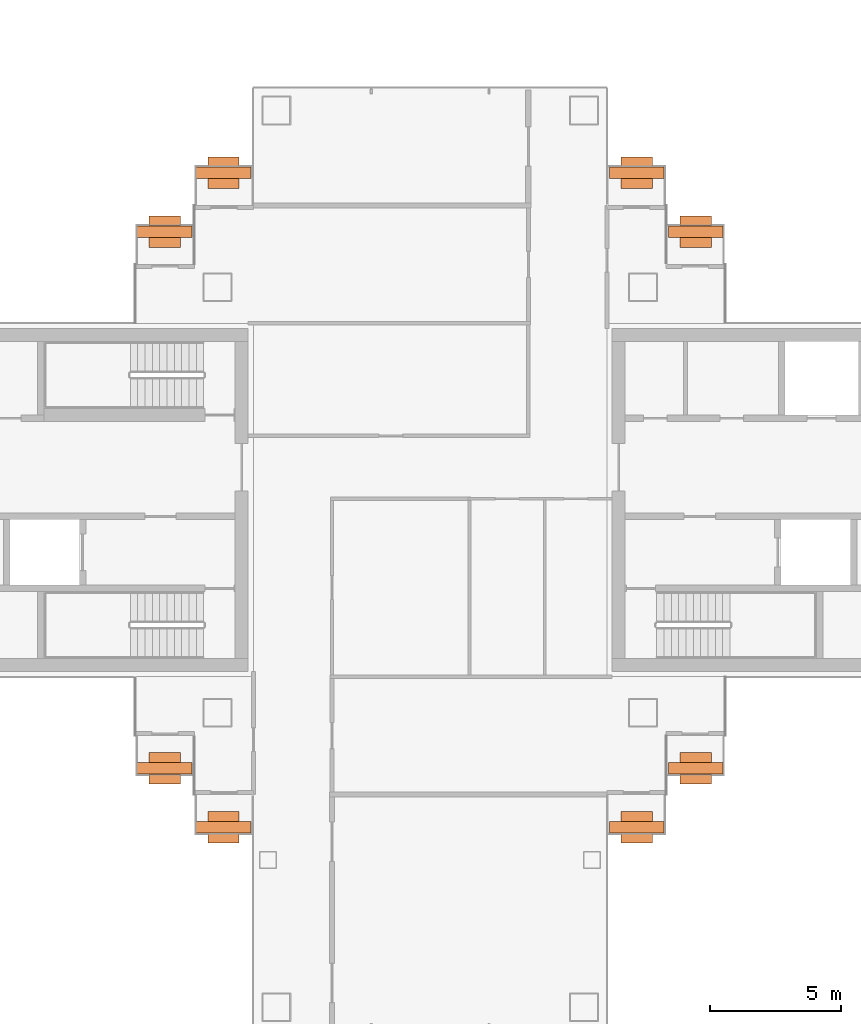
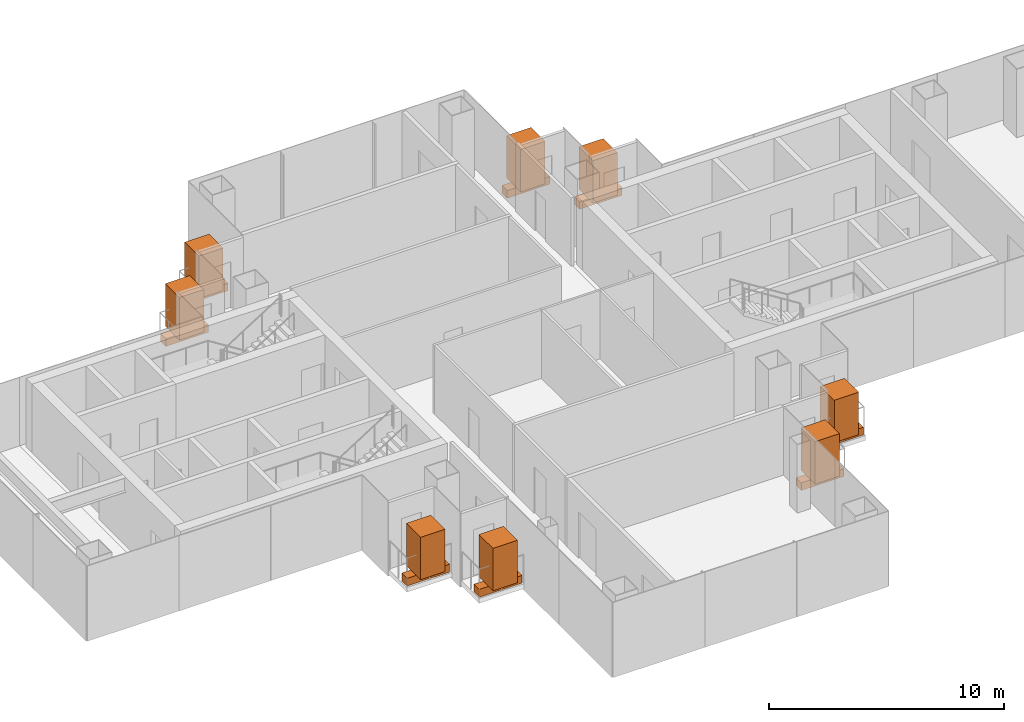
# One storey, part 16 of 16: 8 geographic elements, 8 proxies.
"""IFC4 building model written with IfcOpenShell, lengths in metres."""

from ifc_helpers import new_model, si_unit, direction, frame, origin, origin_2d, place, context, subcontext, project, spatial, rectangle, extrude, material, type_object, element, save


model = new_model("IFC4")

# Units and contexts
model_context = context("Model", 3, precision=1e-05, world=origin(), true_north=direction((0.0, 1.0)))
body_context = subcontext(model_context, "Body", "Model", "MODEL_VIEW")
ifc_project = project(units=[si_unit("LENGTHUNIT", "METRE"), si_unit("AREAUNIT", "SQUARE_METRE"), si_unit("VOLUMEUNIT", "CUBIC_METRE"), si_unit("PLANEANGLEUNIT", "RADIAN"), si_unit("MASSUNIT", "GRAM", prefix="KILO")], contexts=[model_context])

# Site, building, storey
site_placement = place(None, origin())
site = spatial("IfcSite", under=ifc_project, at=site_placement, CompositionType="ELEMENT")
building_placement = place(site_placement, origin())
building = spatial("IfcBuilding", under=site, at=building_placement, Name="Shamsa Quay Exchange Towers", CompositionType="ELEMENT")
storey_placement = place(building_placement, frame((0.0, 0.0, 142.800048828125)))
storey = spatial("IfcBuildingStorey", under=building, at=storey_placement, Name="L33", CompositionType="ELEMENT", Elevation=142.800048828125)

# Proxies
ifc_material_1 = material(Name="Reinforced concrete C30/37, black glass-fibre faced", Category="concrete")
building_element_proxy_type = type_object("IfcBuildingElementProxyType", Name="BALCONY PLANTER", PredefinedType="USERDEFINED", material=ifc_material_1)
for number, where, z_axis, x_axis, name in (
    (1, (-23.60595703125, 10.2451171875, 0.0), (0.0, 0.0, 1.0), (-1.0, 0.0, 0.0), "PLANTER T1-PKEN L33"),
    (2, (-25.85595703125, 12.4951171875, 0.0), (0.0, 0.0, 1.0), (-1.0, 0.0, 0.0), "PLANTER T1-PKEN L33"),
):
    element("IfcBuildingElementProxy", number, at=place(storey_placement, frame(where, z_axis=z_axis, x_axis=x_axis)), inside=storey, type_object=building_element_proxy_type, Name=name, ObjectType="PLANTER", PredefinedType="USERDEFINED", context=body_context, shape_type="SweptSolid", body=[
        extrude(rectangle(XDim=2.092041015625, YDim=0.449951171875, at=origin_2d()), origin(), (0.0, 0.0, 1.0), 0.39990234375),
    ])
for number, where, name in (
    (3, (-23.60595703125, -10.2451171875, 0.0), "PLANTER T1-PKES L33"),
    (4, (-25.85595703125, -12.4951171875, 0.0), "PLANTER T1-PKES L33"),
):
    element("IfcBuildingElementProxy", number, at=place(storey_placement, frame(where)), inside=storey, type_object=building_element_proxy_type, Name=name, ObjectType="PLANTER", PredefinedType="USERDEFINED", context=body_context, shape_type="SweptSolid", body=[
        extrude(rectangle(XDim=2.092041015625, YDim=0.449951171875, at=origin_2d()), origin(), (0.0, 0.0, 1.0), 0.39990234375),
    ])
for number, where, z_axis, x_axis, name in (
    (5, (-41.64404296875, 12.4951171875, 0.0), (0.0, 0.0, 1.0), (-1.0, 0.0, 0.0), "PLANTER T1-PKWN L33"),
    (6, (-43.89404296875, 10.2451171875, 0.0), (0.0, 0.0, 1.0), (-1.0, 0.0, 0.0), "PLANTER T1-PKWN L33"),
):
    element("IfcBuildingElementProxy", number, at=place(storey_placement, frame(where, z_axis=z_axis, x_axis=x_axis)), inside=storey, type_object=building_element_proxy_type, Name=name, ObjectType="PLANTER", PredefinedType="USERDEFINED", context=body_context, shape_type="SweptSolid", body=[
        extrude(rectangle(XDim=2.092041015625, YDim=0.449951171875, at=origin_2d()), origin(), (0.0, 0.0, 1.0), 0.39990234375),
    ])
for number, where, name in (
    (7, (-43.89404296875, -10.2451171875, 0.0), "PLANTER T1-PKWS L33"),
    (8, (-41.64404296875, -12.4951171875, 0.0), "PLANTER T1-PKWS L33"),
):
    element("IfcBuildingElementProxy", number, at=place(storey_placement, frame(where)), inside=storey, type_object=building_element_proxy_type, Name=name, ObjectType="PLANTER", PredefinedType="USERDEFINED", context=body_context, shape_type="SweptSolid", body=[
        extrude(rectangle(XDim=2.092041015625, YDim=0.449951171875, at=origin_2d()), origin(), (0.0, 0.0, 1.0), 0.39990234375),
    ])

# Geographic elements
ifc_material_2 = material(Name="Planting")
geographic_element_type = type_object("IfcGeographicElementType", Name="BALCONY TREE", PredefinedType="USERDEFINED", material=ifc_material_2)
for number, where, z_axis, x_axis, name in (
    (9, (-23.60595703125, 10.2451171875, 0.39990234375), (0.0, 0.0, 1.0), (-1.0, 0.0, 0.0), "TREE T1-PKEN L33"),
    (10, (-25.85595703125, 12.4951171875, 0.39990234375), (0.0, 0.0, 1.0), (-1.0, 0.0, 0.0), "TREE T1-PKEN L33"),
):
    element("IfcGeographicElement", number, at=place(storey_placement, frame(where, z_axis=z_axis, x_axis=x_axis)), inside=storey, type_object=geographic_element_type, Name=name, ObjectType="TREE", PredefinedType="USERDEFINED", context=body_context, shape_type="SweptSolid", body=[
        extrude(rectangle(XDim=1.199951171875, YDim=1.199951171875, at=origin_2d()), origin(), (0.0, 0.0, 1.0), 2.199951171875),
    ])
for number, where, name in (
    (11, (-23.60595703125, -10.2451171875, 0.39990234375), "TREE T1-PKES L33"),
    (12, (-25.85595703125, -12.4951171875, 0.39990234375), "TREE T1-PKES L33"),
):
    element("IfcGeographicElement", number, at=place(storey_placement, frame(where)), inside=storey, type_object=geographic_element_type, Name=name, ObjectType="TREE", PredefinedType="USERDEFINED", context=body_context, shape_type="SweptSolid", body=[
        extrude(rectangle(XDim=1.199951171875, YDim=1.199951171875, at=origin_2d()), origin(), (0.0, 0.0, 1.0), 2.199951171875),
    ])
for number, where, z_axis, x_axis, name in (
    (13, (-41.64404296875, 12.4951171875, 0.39990234375), (0.0, 0.0, 1.0), (-1.0, 0.0, 0.0), "TREE T1-PKWN L33"),
    (14, (-43.89404296875, 10.2451171875, 0.39990234375), (0.0, 0.0, 1.0), (-1.0, 0.0, 0.0), "TREE T1-PKWN L33"),
):
    element("IfcGeographicElement", number, at=place(storey_placement, frame(where, z_axis=z_axis, x_axis=x_axis)), inside=storey, type_object=geographic_element_type, Name=name, ObjectType="TREE", PredefinedType="USERDEFINED", context=body_context, shape_type="SweptSolid", body=[
        extrude(rectangle(XDim=1.199951171875, YDim=1.199951171875, at=origin_2d()), origin(), (0.0, 0.0, 1.0), 2.199951171875),
    ])
for number, where, name in (
    (15, (-43.89404296875, -10.2451171875, 0.39990234375), "TREE T1-PKWS L33"),
    (16, (-41.64404296875, -12.4951171875, 0.39990234375), "TREE T1-PKWS L33"),
):
    element("IfcGeographicElement", number, at=place(storey_placement, frame(where)), inside=storey, type_object=geographic_element_type, Name=name, ObjectType="TREE", PredefinedType="USERDEFINED", context=body_context, shape_type="SweptSolid", body=[
        extrude(rectangle(XDim=1.199951171875, YDim=1.199951171875, at=origin_2d()), origin(), (0.0, 0.0, 1.0), 2.199951171875),
    ])

save(model, "model.ifc")
